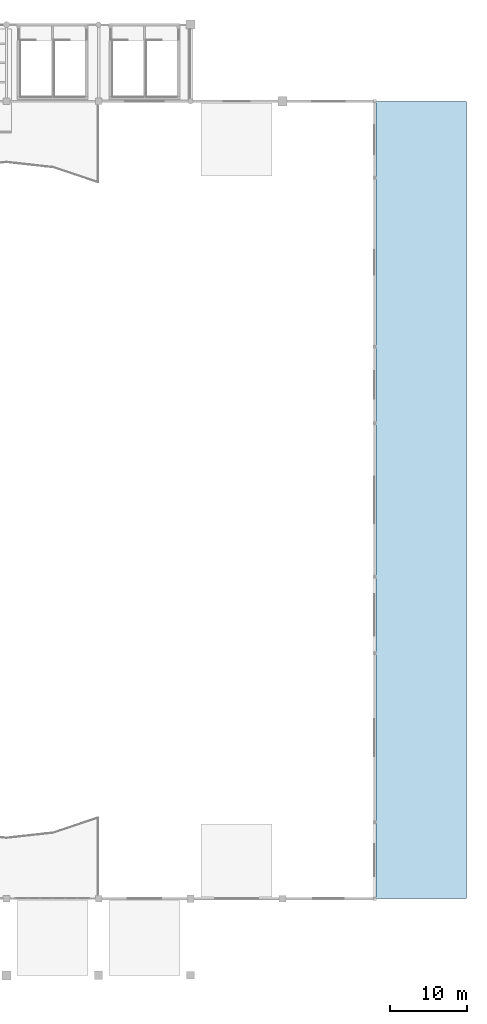
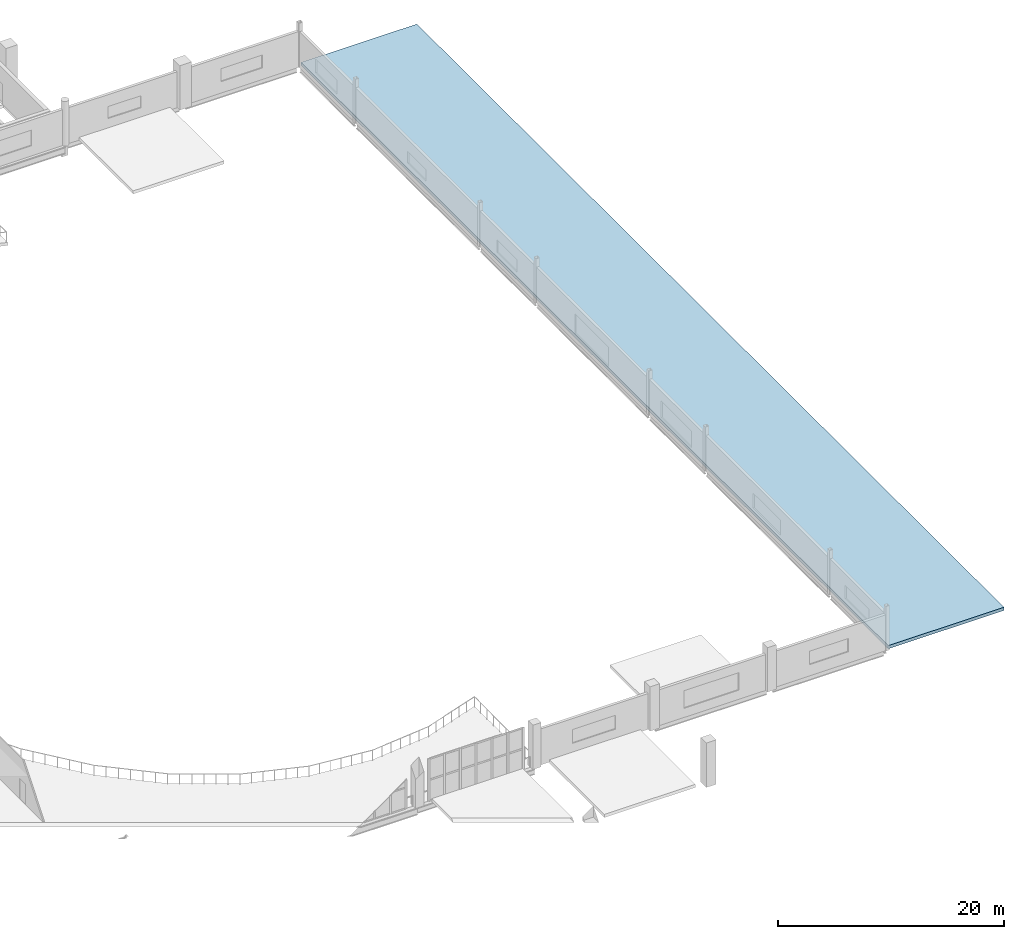
# One storey, part 32 of 49: 1 slab.
"""IFC4 building model written with IfcOpenShell, lengths in metres."""

from ifc_helpers import new_model, si_unit, direction, frame, origin, place, context, subcontext, project, spatial, polyline, outline, extrude, material, layer, layer_set, type_object, element, save


model = new_model("IFC4")

# Units and contexts
model_context = context("Model", 3, precision=1e-05, world=origin(), true_north=direction((0.0, 1.0)))
body_context = subcontext(model_context, "Body", "Model", "MODEL_VIEW")
ifc_project = project(units=[si_unit("LENGTHUNIT", "METRE"), si_unit("AREAUNIT", "SQUARE_METRE"), si_unit("VOLUMEUNIT", "CUBIC_METRE"), si_unit("PLANEANGLEUNIT", "RADIAN"), si_unit("MASSUNIT", "GRAM", prefix="KILO")], contexts=[model_context])

# Site, building, storey
site_placement = place(None, origin())
site = spatial("IfcSite", under=ifc_project, at=site_placement, CompositionType="ELEMENT")
building_placement = place(site_placement, origin())
building = spatial("IfcBuilding", under=site, at=building_placement, Name="Brinegate Civic Arena", CompositionType="ELEMENT")
storey_placement = place(building_placement, frame((0.0, 0.0, 24.60009765625)))
storey = spatial("IfcBuildingStorey", under=building, at=storey_placement, Name="L05", CompositionType="ELEMENT", Elevation=24.60009765625)

# Slab
ifc_material = material(Name="Concrete C40/50", Category="concrete")
ifc_layer = layer(ifc_material, 0.340087890625, Name="Concrete C40/50")
ifc_layer_set = layer_set([ifc_layer], Name="Concrete C40/50")
slab_type = type_object("IfcSlabType", Name="SLAB-ROOF-PORTAL-340", PredefinedType="ROOF", material=ifc_layer_set)
slab_placement = place(storey_placement, origin())
element("IfcSlab", 1, at=slab_placement, inside=storey, type_object=slab_type, Name="East L04 Concourse and Core Setback Roof Slab", PredefinedType="ROOF", context=body_context, shape_type="SweptSolid", body=[
    extrude(outline(polyline([(156.159912109375, 10.0), (168.0, 10.0), (168.0, 114.0), (156.159912109375, 114.0), (156.159912109375, 10.0)])), origin(), (0.0, 0.0, 1.0), 0.33984375),
])

save(model, "model.ifc")
